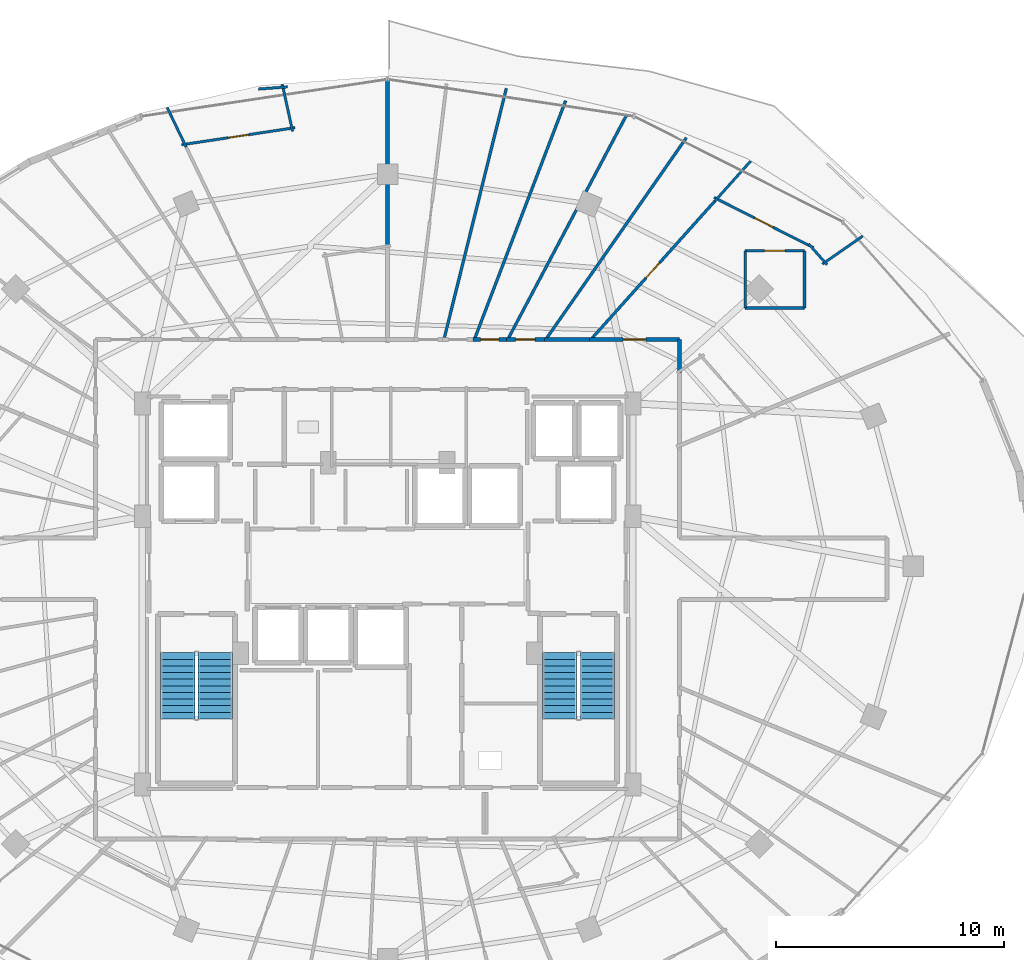
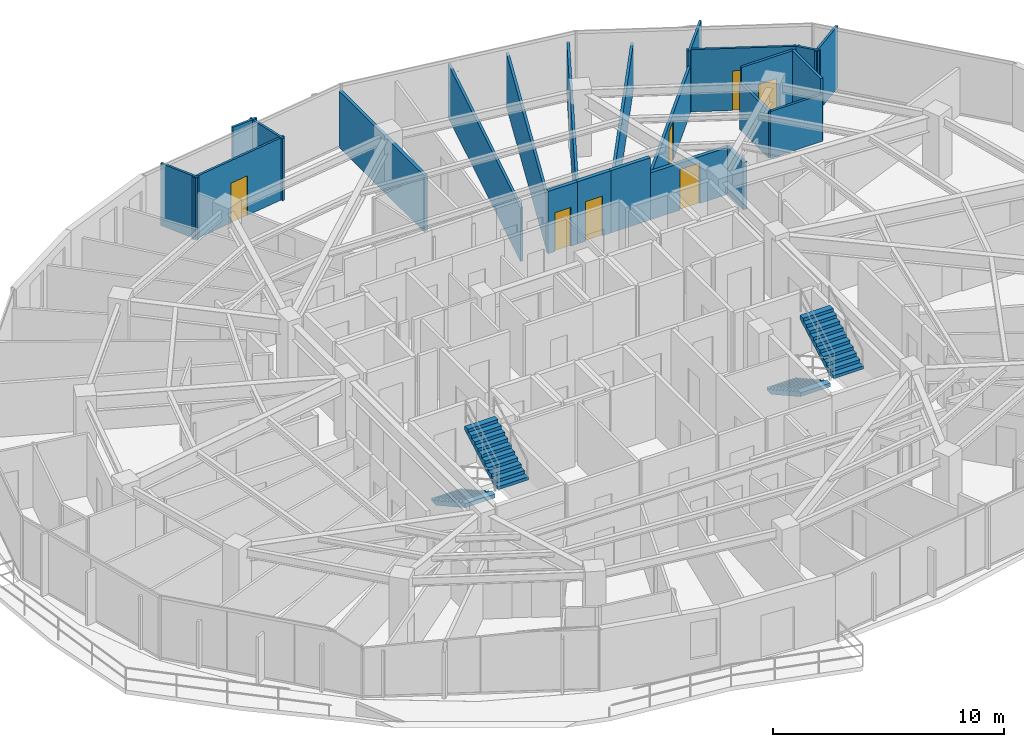
# One storey, part 30 of 33: 23 walls, 7 doors, 4 stair flights, 7 openings, 2 elements without a shape of their own.
"""IFC4 building model written with IfcOpenShell, lengths in metres."""

from ifc_helpers import new_model, si_unit, direction, frame, frame_2d, origin, place, context, subcontext, project, spatial, polyline, rectangle, outline, extrude, material, layer, layer_set, type_object, element, fill, aggregate, save


model = new_model("IFC4")

# Units and contexts
model_context = context("Model", 3, precision=1e-05, world=origin(), true_north=direction((0.0, 1.0)))
body_context = subcontext(model_context, "Body", "Model", "MODEL_VIEW")
ifc_project = project(units=[si_unit("LENGTHUNIT", "METRE"), si_unit("AREAUNIT", "SQUARE_METRE"), si_unit("VOLUMEUNIT", "CUBIC_METRE"), si_unit("PLANEANGLEUNIT", "RADIAN"), si_unit("MASSUNIT", "GRAM", prefix="KILO")], contexts=[model_context])

# Site, building, storey
site_placement = place(None, origin())
site = spatial("IfcSite", under=ifc_project, at=site_placement, CompositionType="ELEMENT")
building_placement = place(site_placement, origin())
building = spatial("IfcBuilding", under=site, at=building_placement, Name="Vorneva Point Tower", CompositionType="ELEMENT")
storey_placement = place(building_placement, frame((0.0, 0.0, 217.85009765625)))
storey = spatial("IfcBuildingStorey", under=building, at=storey_placement, Name="L59", CompositionType="ELEMENT", Elevation=217.85009765625)

# Wall
ifc_material_1 = material(Name="Fire-rated acoustic gypsum stud partition", Category="gypsum")
ifc_layer_1 = layer(ifc_material_1, 0.110107421875)
ifc_layer_set_1 = layer_set([ifc_layer_1], Name="Fire-rated acoustic gypsum stud partition")
wall_type_1 = type_object("IfcWallType", Name="WL-PART-110", PredefinedType="PARTITIONING", material=ifc_layer_set_1)
wall_1_placement = place(storey_placement, frame((57.265625, 39.22705078125, 0.0), z_axis=(0.0, 0.0, 1.0), x_axis=(-0.662352650652, 0.749192209099, 0.0)))
element("IfcWall", 1, at=wall_1_placement, inside=storey, type_object=wall_type_1, Name="L59 Interior Partition 087", PredefinedType="PARTITIONING", context=body_context, shape_type="SweptSolid", body=[
    extrude(rectangle(XDim=1.214599609375, YDim=0.110107421875, at=frame_2d((0.607421875, 0.0))), origin(), (0.0, 0.0, 1.0), 3.289794921875),
])

# Wall, opening, door
wall_2_placement = place(storey_placement, frame((56.678955078125, 39.968994140625, 0.0), z_axis=(0.0, 0.0, 1.0), x_axis=(-0.892574903925, 0.450899147131, 0.0)))
wall_2 = element("IfcWall", 2, at=wall_2_placement, inside=storey, type_object=wall_type_1, Name="L59 Interior Partition 088", PredefinedType="PARTITIONING", context=body_context, shape_type="SweptSolid", body=[
    extrude(rectangle(XDim=4.89697265625, YDim=0.110107421875, at=frame_2d((2.448486328125, 0.0))), origin(), (0.0, 0.0, 1.0), 3.289794921875),
])
opening_1_placement = place(wall_2_placement, frame((1.99853515625, 0.0, 0.0)))
opening_1 = element("IfcOpeningElement", 3, at=opening_1_placement, cuts=wall_2, Name="Opening ID-01", PredefinedType="OPENING", context=body_context, shape_type="SweptSolid", body=[
    extrude(rectangle(XDim=0.89990234375, YDim=2.10009765625, at=frame_2d((0.449951171875, 1.050048828125))), frame((0.0, 0.06982421875, 0.0), z_axis=(0.0, -1.0, 0.0), x_axis=(1.0, 0.0, 0.0)), (0.0, 0.0, 1.0), 0.139892578125),
])
ifc_material_2 = material(Name="Engineered oak fire-rated door leaf", Category="wood")
door_type_1 = type_object("IfcDoorType", Name="DR-ROOM-900", OperationType="NOTDEFINED", PredefinedType="DOOR", material=ifc_material_2)
door_1_placement = place(opening_1_placement, origin())
door_1 = element("IfcDoor", 4, at=door_1_placement, inside=storey, type_object=door_type_1, Name="L59 Door Living and Dining Room L59-01 / Kitchen L59-01", OperationType="SINGLE_SWING_RIGHT", OverallHeight=2.10009765625, OverallWidth=0.89990234375, PredefinedType="DOOR", context=body_context, shape_type="SweptSolid", body=[
    extrude(rectangle(XDim=0.89990234375, YDim=2.10009765625, at=frame_2d((0.449951171875, 1.050048828125))), frame((0.0, 0.02490234375, 0.0), z_axis=(0.0, -1.0, 0.0), x_axis=(1.0, 0.0, 0.0)), (0.0, 0.0, 1.0), 0.050048828125),
])
fill(opening_1, door_1)

# Walls
wall_3_placement = place(storey_placement, frame((52.339599609375, 42.009765625, 0.0), z_axis=(0.0, 0.0, 1.0), x_axis=(0.667118090827, 0.744951980259, 0.0)))
element("IfcWall", 5, at=wall_3_placement, inside=storey, type_object=wall_type_1, Name="L59 Interior Partition 089", PredefinedType="PARTITIONING", context=body_context, shape_type="SweptSolid", body=[
    extrude(rectangle(XDim=2.36181640625, YDim=0.110107421875, at=frame_2d((1.180908203125, 0.0))), origin(), (0.0, 0.0, 1.0), 3.289794921875),
])
wall_4_placement = place(storey_placement, frame((58.827880859375, 40.48291015625, 0.0), z_axis=(0.0, 0.0, 1.0), x_axis=(-0.820999835833, -0.570928427705, 0.0)))
element("IfcWall", 6, at=wall_4_placement, inside=storey, type_object=wall_type_1, Name="L59 Interior Partition 090", PredefinedType="PARTITIONING", context=body_context, shape_type="SweptSolid", body=[
    extrude(rectangle(XDim=2.155517578125, YDim=0.110107421875, at=frame_2d((1.07763671875, 0.0))), origin(), (0.0, 0.0, 1.0), 3.289794921875),
])
wall_5_placement = place(storey_placement, frame((33.385009765625, 47.143798828125, 0.0), z_axis=(0.0, 0.0, 1.0), x_axis=(0.213521424511, -0.976938381514, 0.0)))
element("IfcWall", 7, at=wall_5_placement, inside=storey, type_object=wall_type_1, Name="L59 Interior Partition 107", PredefinedType="PARTITIONING", context=body_context, shape_type="SweptSolid", body=[
    extrude(rectangle(XDim=2.116455078125, YDim=0.110107421875, at=frame_2d((1.05810546875, 0.0))), origin(), (0.0, 0.0, 1.0), 3.289794921875),
])

# Wall, opening, door
wall_6_placement = place(storey_placement, frame((33.9453125, 45.23388671875, 0.0), z_axis=(0.0, 0.0, 1.0), x_axis=(-0.988872134662, -0.148767944424, 0.0)))
wall_6 = element("IfcWall", 8, at=wall_6_placement, inside=storey, type_object=wall_type_1, Name="L59 Interior Partition 108", PredefinedType="PARTITIONING", context=body_context, shape_type="SweptSolid", body=[
    extrude(rectangle(XDim=5.026611328125, YDim=0.110107421875, at=frame_2d((2.51318359375, 0.0))), origin(), (0.0, 0.0, 1.0), 3.289794921875),
])
opening_2_placement = place(wall_6_placement, frame((2.0634765625, 0.0, 0.0)))
opening_2 = element("IfcOpeningElement", 9, at=opening_2_placement, cuts=wall_6, Name="Opening ID-01", PredefinedType="OPENING", context=body_context, shape_type="SweptSolid", body=[
    extrude(rectangle(XDim=0.89990234375, YDim=2.10009765625, at=frame_2d((0.449951171875, 1.050048828125))), frame((0.0, 0.06982421875, 0.0), z_axis=(0.0, -1.0, 0.0), x_axis=(1.0, 0.0, 0.0)), (0.0, 0.0, 1.0), 0.139892578125),
])
door_2_placement = place(opening_2_placement, origin())
door_2 = element("IfcDoor", 10, at=door_2_placement, inside=storey, type_object=door_type_1, Name="L59 Door Living and Dining Room L59-02 / Kitchen L59-02", OperationType="SINGLE_SWING_RIGHT", OverallHeight=2.10009765625, OverallWidth=0.89990234375, PredefinedType="DOOR", context=body_context, shape_type="SweptSolid", body=[
    extrude(rectangle(XDim=0.89990234375, YDim=2.10009765625, at=frame_2d((0.449951171875, 1.050048828125))), frame((0.0, 0.02490234375, 0.0), z_axis=(0.0, -1.0, 0.0), x_axis=(1.0, 0.0, 0.0)), (0.0, 0.0, 1.0), 0.050048828125),
])
fill(opening_2, door_2)

# Walls
wall_7_placement = place(storey_placement, frame((29.173583984375, 44.380859375, 0.0), z_axis=(0.0, 0.0, 1.0), x_axis=(-0.432866492457, 0.901458041014, 0.0)))
element("IfcWall", 11, at=wall_7_placement, inside=storey, type_object=wall_type_1, Name="L59 Interior Partition 109", PredefinedType="PARTITIONING", context=body_context, shape_type="SweptSolid", body=[
    extrude(rectangle(XDim=1.93408203125, YDim=0.110107421875, at=frame_2d((0.967041015625, 0.0))), origin(), (0.0, 0.0, 1.0), 3.289794921875),
])
wall_8_placement = place(storey_placement, frame((33.614501953125, 47.0224609375, 0.0), z_axis=(0.0, 0.0, 1.0), x_axis=(-0.997207179737, -0.074684942803, 0.0)))
element("IfcWall", 12, at=wall_8_placement, inside=storey, type_object=wall_type_1, Name="L59 Interior Partition 110", PredefinedType="PARTITIONING", context=body_context, shape_type="SweptSolid", body=[
    extrude(rectangle(XDim=1.271728515625, YDim=0.110107421875, at=frame_2d((0.6357421875, 0.0))), origin(), (0.0, 0.0, 1.0), 3.289794921875),
])

# Wall, opening, door
ifc_layer_2 = layer(ifc_material_1, 0.125)
ifc_layer_set_2 = layer_set([ifc_layer_2], Name="Fire-rated acoustic gypsum stud partition")
wall_type_2 = type_object("IfcWallType", Name="WL-PART-125", PredefinedType="PARTITIONING", material=ifc_layer_set_2)
wall_9_placement = place(storey_placement, frame((56.277099609375, 39.837890625, 0.0), z_axis=(0.0, 0.0, 1.0), x_axis=(-1.0, 0.0, 0.0)))
wall_9 = element("IfcWall", 13, at=wall_9_placement, inside=storey, type_object=wall_type_2, Name="L59 Interior Partition 091", PredefinedType="PARTITIONING", context=body_context, shape_type="SweptSolid", body=[
    extrude(rectangle(XDim=2.60009765625, YDim=0.125, at=frame_2d((1.300048828125, 0.0))), origin(), (0.0, 0.0, 1.0), 3.289794921875),
])
opening_3_placement = place(wall_9_placement, frame((0.85009765625, 0.0, 0.0)))
opening_3 = element("IfcOpeningElement", 14, at=opening_3_placement, cuts=wall_9, Name="Opening ID-01", PredefinedType="OPENING", context=body_context, shape_type="SweptSolid", body=[
    extrude(rectangle(XDim=0.89990234375, YDim=2.10009765625, at=frame_2d((0.449951171875, 1.050048828125))), frame((0.0, 0.077392578125, 0.0), z_axis=(0.0, -1.0, 0.0), x_axis=(1.0, 0.0, 0.0)), (0.0, 0.0, 1.0), 0.15478515625),
])
door_3_placement = place(opening_3_placement, origin())
door_3 = element("IfcDoor", 15, at=door_3_placement, inside=storey, type_object=door_type_1, Name="L59 Door Living and Dining Room L59-01 / Study Room L59-01", OperationType="SINGLE_SWING_LEFT", OverallHeight=2.10009765625, OverallWidth=0.89990234375, PredefinedType="DOOR", context=body_context, shape_type="SweptSolid", body=[
    extrude(rectangle(XDim=0.89990234375, YDim=2.10009765625, at=frame_2d((0.449951171875, 1.050048828125))), frame((0.0, 0.02490234375, 0.0), z_axis=(0.0, -1.0, 0.0), x_axis=(1.0, 0.0, 0.0)), (0.0, 0.0, 1.0), 0.050048828125),
])
fill(opening_3, door_3)

# Walls
wall_10_placement = place(storey_placement, frame((53.677001953125, 39.837890625, 0.0), z_axis=(0.0, 0.0, 1.0), x_axis=(0.0, -1.0, 0.0)))
element("IfcWall", 16, at=wall_10_placement, inside=storey, type_object=wall_type_2, Name="L59 Interior Partition 092", PredefinedType="PARTITIONING", context=body_context, shape_type="SweptSolid", body=[
    extrude(rectangle(XDim=2.5, YDim=0.125, at=frame_2d((1.25, 0.0))), origin(), (0.0, 0.0, 1.0), 2.48193359375),
])
wall_11_placement = place(storey_placement, frame((53.677001953125, 37.337890625, 0.0), z_axis=(0.0, 0.0, 1.0), x_axis=(1.0, 0.0, 0.0)))
element("IfcWall", 17, at=wall_11_placement, inside=storey, type_object=wall_type_2, Name="L59 Interior Partition 093", PredefinedType="PARTITIONING", context=body_context, shape_type="SweptSolid", body=[
    extrude(rectangle(XDim=2.60009765625, YDim=0.125, at=frame_2d((1.300048828125, 0.0))), origin(), (0.0, 0.0, 1.0), 2.48193359375),
])
wall_12_placement = place(storey_placement, frame((56.277099609375, 37.337890625, 0.0), z_axis=(0.0, 0.0, 1.0), x_axis=(0.0, 1.0, 0.0)))
element("IfcWall", 18, at=wall_12_placement, inside=storey, type_object=wall_type_2, Name="L59 Interior Partition 094", PredefinedType="PARTITIONING", context=body_context, shape_type="SweptSolid", body=[
    extrude(rectangle(XDim=2.5, YDim=0.125, at=frame_2d((1.25, 0.0))), origin(), (0.0, 0.0, 1.0), 3.289794921875),
])

# Wall, opening, door
wall_13_placement = place(storey_placement, frame((52.339599609375, 42.009765625, 0.0), z_axis=(0.0, 0.0, 1.0), x_axis=(-0.667173742476, -0.744902139445, 0.0)))
wall_13 = element("IfcWall", 19, at=wall_13_placement, inside=storey, type_object=wall_type_2, Name="L59 Interior Partition 095", PredefinedType="PARTITIONING", context=body_context, shape_type="SweptSolid", body=[
    extrude(rectangle(XDim=8.135009765625, YDim=0.125, at=frame_2d((4.0673828125, 0.0))), origin(), (0.0, 0.0, 1.0), 2.48193359375),
])
opening_4_placement = place(wall_13_placement, frame((3.617431640625, 0.0, 0.0)))
opening_4 = element("IfcOpeningElement", 20, at=opening_4_placement, cuts=wall_13, Name="Opening ID-01", PredefinedType="OPENING", context=body_context, shape_type="SweptSolid", body=[
    extrude(rectangle(XDim=0.89990234375, YDim=2.10009765625, at=frame_2d((0.449951171875, 1.050048828125))), frame((0.0, 0.077392578125, 0.0), z_axis=(0.0, -1.0, 0.0), x_axis=(1.0, 0.0, 0.0)), (0.0, 0.0, 1.0), 0.15478515625),
])
door_4_placement = place(opening_4_placement, origin())
door_4 = element("IfcDoor", 21, at=door_4_placement, inside=storey, type_object=door_type_1, Name="L59 Door Living and Dining Room L59-01 / Master Bedroom L59-01.1", OperationType="SINGLE_SWING_RIGHT", OverallHeight=2.10009765625, OverallWidth=0.89990234375, PredefinedType="DOOR", context=body_context, shape_type="SweptSolid", body=[
    extrude(rectangle(XDim=0.89990234375, YDim=2.10009765625, at=frame_2d((0.449951171875, 1.050048828125))), frame((0.0, 0.02490234375, 0.0), z_axis=(0.0, -1.0, 0.0), x_axis=(1.0, 0.0, 0.0)), (0.0, 0.0, 1.0), 0.050048828125),
])
fill(opening_4, door_4)

# Walls
wall_14_placement = place(storey_placement, frame((51.09912109375, 44.794921875, 0.0), z_axis=(0.0, 0.0, 1.0), x_axis=(-0.571754326018, -0.82042488424, 0.0)))
element("IfcWall", 22, at=wall_14_placement, inside=storey, type_object=wall_type_2, Name="L59 Interior Partition 098", PredefinedType="PARTITIONING", context=body_context, shape_type="SweptSolid", body=[
    extrude(rectangle(XDim=10.781005859375, YDim=0.125, at=frame_2d((5.390625, 0.0))), origin(), (0.0, 0.0, 1.0), 2.48193359375),
])
wall_15_placement = place(storey_placement, frame((48.48193359375, 45.797119140625, 0.0), z_axis=(0.0, 0.0, 1.0), x_axis=(-0.46793402924, -0.883763398359, 0.0)))
element("IfcWall", 23, at=wall_15_placement, inside=storey, type_object=wall_type_2, Name="L59 Interior Partition 099", PredefinedType="PARTITIONING", context=body_context, shape_type="SweptSolid", body=[
    extrude(rectangle(XDim=11.142333984375, YDim=0.125, at=frame_2d((5.5712890625, 0.0))), origin(), (0.0, 0.0, 1.0), 2.823974609375),
])
wall_16_placement = place(storey_placement, frame((45.804931640625, 46.412109375, 0.0), z_axis=(0.0, 0.0, 1.0), x_axis=(-0.357119008819, -0.934058891901, 0.0)))
element("IfcWall", 24, at=wall_16_placement, inside=storey, type_object=wall_type_2, Name="L59 Interior Partition 100", PredefinedType="PARTITIONING", context=body_context, shape_type="SweptSolid", body=[
    extrude(rectangle(XDim=11.20068359375, YDim=0.125, at=frame_2d((5.600341796875, 0.0))), origin(), (0.0, 0.0, 1.0), 2.823974609375),
])
wall_17_placement = place(storey_placement, frame((43.20703125, 46.9609375, 0.0), z_axis=(0.0, 0.0, 1.0), x_axis=(-0.241072089133, -0.970507211638, 0.0)))
element("IfcWall", 25, at=wall_17_placement, inside=storey, type_object=wall_type_2, Name="L59 Interior Partition 101", PredefinedType="PARTITIONING", context=body_context, shape_type="SweptSolid", body=[
    extrude(rectangle(XDim=11.345703125, YDim=0.125, at=frame_2d((5.6728515625, 0.0))), origin(), (0.0, 0.0, 1.0), 2.823974609375),
])
ifc_layer_3 = layer(ifc_material_1, 0.159912109375)
ifc_layer_set_3 = layer_set([ifc_layer_3], Name="Fire-rated acoustic gypsum stud partition")
wall_type_3 = type_object("IfcWallType", Name="WL-PART-160", PredefinedType="PARTITIONING", material=ifc_layer_set_3)
wall_18_placement = place(storey_placement, frame((38.0, 47.35009765625, 0.0), z_axis=(0.0, 0.0, 1.0), x_axis=(0.0, -1.0, 0.0)))
element("IfcWall", 26, at=wall_18_placement, inside=storey, type_object=wall_type_3, Name="L59 Interior Partition 103", PredefinedType="PARTITIONING", context=body_context, shape_type="SweptSolid", body=[
    extrude(rectangle(XDim=7.375, YDim=0.159912109375, at=frame_2d((3.6875, 0.0))), origin(), (0.0, 0.0, 1.0), 2.97900390625),
])
ifc_material_3 = material(Name="Autoclaved aerated concrete blockwork", Category="masonry")
ifc_layer_4 = layer(ifc_material_3, 0.179931640625)
ifc_layer_set_4 = layer_set([ifc_layer_4], Name="Autoclaved aerated concrete blockwork")
wall_type_4 = type_object("IfcWallType", Name="WL-PART-180", PredefinedType="PARTITIONING", material=ifc_layer_set_4)
wall_19_placement = place(storey_placement, frame((50.800048828125, 34.50390625, 0.0), z_axis=(0.0, 0.0, 1.0), x_axis=(0.0, 1.0, 0.0)))
element("IfcWall", 27, at=wall_19_placement, inside=storey, type_object=wall_type_4, Name="L59 Interior Partition 034", PredefinedType="PARTITIONING", context=body_context, shape_type="SweptSolid", body=[
    extrude(rectangle(XDim=1.446044921875, YDim=0.179931640625, at=frame_2d((0.72314453125, 0.0))), origin(), (0.0, 0.0, 1.0), 2.48193359375),
])

# Wall, opening, door
wall_20_placement = place(storey_placement, frame((50.800048828125, 35.949951171875, 0.0), z_axis=(0.0, 0.0, 1.0), x_axis=(-1.0, 0.0, 0.0)))
wall_20 = element("IfcWall", 28, at=wall_20_placement, inside=storey, type_object=wall_type_4, Name="L59 Interior Partition 035", PredefinedType="PARTITIONING", context=body_context, shape_type="SweptSolid", body=[
    extrude(rectangle(XDim=3.947998046875, YDim=0.179931640625, at=frame_2d((1.97412109375, 0.0))), origin(), (0.0, 0.0, 1.0), 2.48193359375),
])
opening_5_placement = place(wall_20_placement, frame((1.47412109375, 0.0, 0.0)))
opening_5 = element("IfcOpeningElement", 29, at=opening_5_placement, cuts=wall_20, Name="Opening UD-01", PredefinedType="OPENING", context=body_context, shape_type="SweptSolid", body=[
    extrude(rectangle(XDim=1.0, YDim=2.14990234375, at=frame_2d((0.5, 1.074951171875))), frame((0.0, 0.10498046875, 0.0), z_axis=(0.0, -1.0, 0.0), x_axis=(1.0, 0.0, 0.0)), (0.0, 0.0, 1.0), 0.209716796875),
])
door_type_2 = type_object("IfcDoorType", Name="DR-UNIT-1000", OperationType="NOTDEFINED", PredefinedType="DOOR", material=ifc_material_2)
door_5_placement = place(opening_5_placement, origin())
door_5 = element("IfcDoor", 30, at=door_5_placement, inside=storey, type_object=door_type_2, Name="L59 Door L59 Circulation Corridor / Living and Dining Room L59-01", OperationType="SINGLE_SWING_LEFT", OverallHeight=2.14990234375, OverallWidth=1.0, PredefinedType="DOOR", context=body_context, shape_type="SweptSolid", body=[
    extrude(rectangle(XDim=1.0, YDim=2.14990234375, at=frame_2d((0.5, 1.074951171875))), frame((0.0, 0.02490234375, 0.0), z_axis=(0.0, -1.0, 0.0), x_axis=(1.0, 0.0, 0.0)), (0.0, 0.0, 1.0), 0.050048828125),
])
fill(opening_5, door_5)

# Wall
wall_21_placement = place(storey_placement, frame((46.85205078125, 35.949951171875, 0.0), z_axis=(0.0, 0.0, 1.0), x_axis=(-1.0, 0.0, 0.0)))
element("IfcWall", 31, at=wall_21_placement, inside=storey, type_object=wall_type_4, Name="L59 Interior Partition 037", PredefinedType="PARTITIONING", context=body_context, shape_type="SweptSolid", body=[
    extrude(rectangle(XDim=1.97705078125, YDim=0.179931640625, at=frame_2d((0.988525390625, 0.0))), origin(), (0.0, 0.0, 1.0), 3.289794921875),
])

# Wall, opening, door
wall_22_placement = place(storey_placement, frame((44.875, 35.949951171875, 0.0), z_axis=(0.0, 0.0, 1.0), x_axis=(-1.0, 0.0, 0.0)))
wall_22 = element("IfcWall", 32, at=wall_22_placement, inside=storey, type_object=wall_type_4, Name="L59 Interior Partition 038", PredefinedType="PARTITIONING", context=body_context, shape_type="SweptSolid", body=[
    extrude(rectangle(XDim=1.6669921875, YDim=0.179931640625, at=frame_2d((0.83349609375, 0.0))), origin(), (0.0, 0.0, 1.0), 3.289794921875),
])
opening_6_placement = place(wall_22_placement, frame((0.408447265625, 0.0, 0.0)))
opening_6 = element("IfcOpeningElement", 33, at=opening_6_placement, cuts=wall_22, Name="Opening ID-02", PredefinedType="OPENING", context=body_context, shape_type="SweptSolid", body=[
    extrude(rectangle(XDim=0.85009765625, YDim=2.10009765625, at=frame_2d((0.425048828125, 1.050048828125))), frame((0.0, 0.10498046875, 0.0), z_axis=(0.0, -1.0, 0.0), x_axis=(1.0, 0.0, 0.0)), (0.0, 0.0, 1.0), 0.209716796875),
])
door_type_3 = type_object("IfcDoorType", Name="DR-BATH-850", OperationType="NOTDEFINED", PredefinedType="DOOR", material=ifc_material_2)
door_6_placement = place(opening_6_placement, origin())
door_6 = element("IfcDoor", 34, at=door_6_placement, inside=storey, type_object=door_type_3, Name="L59 Access Door L59 Circulation Corridor", OperationType="SINGLE_SWING_RIGHT", OverallHeight=2.10009765625, OverallWidth=0.85009765625, PredefinedType="DOOR", context=body_context, shape_type="SweptSolid", body=[
    extrude(rectangle(XDim=0.85009765625, YDim=2.10009765625, at=frame_2d((0.425048828125, 1.050048828125))), frame((0.0, 0.02490234375, 0.0), z_axis=(0.0, -1.0, 0.0), x_axis=(1.0, 0.0, 0.0)), (0.0, 0.0, 1.0), 0.050048828125),
])
fill(opening_6, door_6)

wall_23_placement = place(storey_placement, frame((43.2080078125, 35.949951171875, 0.0), z_axis=(0.0, 0.0, 1.0), x_axis=(-1.0, 0.0, 0.0)))
wall_23 = element("IfcWall", 35, at=wall_23_placement, inside=storey, type_object=wall_type_4, Name="L59 Interior Partition 039", PredefinedType="PARTITIONING", context=body_context, shape_type="SweptSolid", body=[
    extrude(rectangle(XDim=1.462890625, YDim=0.179931640625, at=frame_2d((0.7314453125, 0.0))), origin(), (0.0, 0.0, 1.0), 3.289794921875),
])
opening_7_placement = place(wall_23_placement, frame((0.33154296875, 0.0, 0.0)))
opening_7 = element("IfcOpeningElement", 36, at=opening_7_placement, cuts=wall_23, Name="Opening RD-01", PredefinedType="OPENING", context=body_context, shape_type="SweptSolid", body=[
    extrude(rectangle(XDim=0.800048828125, YDim=2.050048828125, at=frame_2d((0.39990234375, 1.02490234375))), frame((0.0, 0.10498046875, 0.0), z_axis=(0.0, -1.0, 0.0), x_axis=(1.0, 0.0, 0.0)), (0.0, 0.0, 1.0), 0.209716796875),
])
ifc_material_4 = material(Name="Fire-rated powder-coated steel", Category="steel")
door_type_4 = type_object("IfcDoorType", Name="DR-RSR-800", OperationType="SINGLE_SWING_LEFT", PredefinedType="DOOR", material=ifc_material_4)
door_7_placement = place(opening_7_placement, origin())
door_7 = element("IfcDoor", 37, at=door_7_placement, inside=storey, type_object=door_type_4, Name="L59 Access Door L59 Circulation Corridor", OperationType="SINGLE_SWING_RIGHT", OverallHeight=2.050048828125, OverallWidth=0.800048828125, PredefinedType="DOOR", context=body_context, shape_type="SweptSolid", body=[
    extrude(rectangle(XDim=0.800048828125, YDim=2.050048828125, at=frame_2d((0.39990234375, 1.02490234375))), frame((0.0, 0.02490234375, 0.0), z_axis=(0.0, -1.0, 0.0), x_axis=(1.0, 0.0, 0.0)), (0.0, 0.0, 1.0), 0.050048828125),
])
fill(opening_7, door_7)

# Stair, stair flights
ifc_material_5 = material(Name="Concrete B50 (C40/50)", Category="concrete")
stair_type = type_object("IfcStairType", Name="ST-DOG-1500", PredefinedType="HALF_TURN_STAIR", material=ifc_material_5)
stair_1_placement = place(storey_placement, origin())
stair_1 = element("IfcStair", 38, at=stair_1_placement, inside=storey, type_object=stair_type, Name="L59 ST1", PredefinedType="HALF_TURN_STAIR")
stair_flight_type = type_object("IfcStairFlightType", Name="STF-1500", PredefinedType="STRAIGHT", material=ifc_material_5)
stair_flight_1_placement = place(storey_placement, frame((28.800048828125, 22.219970703125, 0.0), z_axis=(0.0, 0.0, 1.0), x_axis=(0.0, -1.0, 0.0)))
stair_flight_1 = element("IfcStairFlight", 39, at=stair_flight_1_placement, type_object=stair_flight_type, Name="ST1 flight 1", NumberOfRisers=11, NumberOfTreads=10, PredefinedType="STRAIGHT", RiserHeight=0.161363636, TreadLength=0.29, context=body_context, shape_type="SweptSolid", body=[
    extrude(outline(polyline([(0.0, 0.0), (0.0, 0.161376953125), (0.2900390625, 0.161376953125), (0.2900390625, 0.32275390625), (0.580078125, 0.32275390625), (0.580078125, 0.484130859375), (0.8701171875, 0.484130859375), (0.8701171875, 0.6455078125), (1.159912109375, 0.6455078125), (1.159912109375, 0.806884765625), (1.449951171875, 0.806884765625), (1.449951171875, 0.96826171875), (1.739990234375, 0.96826171875), (1.739990234375, 1.129638671875), (2.030029296875, 1.129638671875), (2.030029296875, 1.291015625), (2.320068359375, 1.291015625), (2.320068359375, 1.452392578125), (2.610107421875, 1.452392578125), (2.610107421875, 1.613525390625), (2.89990234375, 1.613525390625), (2.89990234375, 1.77490234375), (2.89990234375, 1.40771484375), (0.3701171875, 0.0), (0.0, 0.0)])), frame((0.0, 0.75, 0.0), z_axis=(0.0, -1.0, 0.0), x_axis=(1.0, 0.0, 0.0)), (0.0, 0.0, 1.0), 1.5),
])
stair_flight_2_placement = place(storey_placement, frame((30.449951171875, 19.320068359375, 1.77490234375), z_axis=(0.0, 0.0, 1.0), x_axis=(0.0, 1.0, 0.0)))
stair_flight_2 = element("IfcStairFlight", 40, at=stair_flight_2_placement, type_object=stair_flight_type, Name="ST1 flight 2", NumberOfRisers=11, NumberOfTreads=10, PredefinedType="STRAIGHT", RiserHeight=0.161363636, TreadLength=0.29, context=body_context, shape_type="SweptSolid", body=[
    extrude(outline(polyline([(0.0, 0.0), (0.0, 0.161376953125), (0.2900390625, 0.161376953125), (0.2900390625, 0.32275390625), (0.580078125, 0.32275390625), (0.580078125, 0.484130859375), (0.8701171875, 0.484130859375), (0.8701171875, 0.6455078125), (1.159912109375, 0.6455078125), (1.159912109375, 0.806884765625), (1.449951171875, 0.806884765625), (1.449951171875, 0.96826171875), (1.739990234375, 0.96826171875), (1.739990234375, 1.129638671875), (2.030029296875, 1.129638671875), (2.030029296875, 1.291015625), (2.320068359375, 1.291015625), (2.320068359375, 1.452392578125), (2.610107421875, 1.452392578125), (2.610107421875, 1.613525390625), (2.89990234375, 1.613525390625), (2.89990234375, 1.77490234375), (2.89990234375, 1.40771484375), (0.3701171875, 0.0), (0.0, 0.0)])), frame((0.0, 0.75, 0.0), z_axis=(0.0, -1.0, 0.0), x_axis=(1.0, 0.0, 0.0)), (0.0, 0.0, 1.0), 1.5),
])
aggregate(stair_1, [stair_flight_1, stair_flight_2])

stair_2_placement = place(storey_placement, origin())
stair_2 = element("IfcStair", 41, at=stair_2_placement, inside=storey, type_object=stair_type, Name="L59 ST2", PredefinedType="HALF_TURN_STAIR")
stair_flight_3_placement = place(storey_placement, frame((45.550048828125, 22.219970703125, 0.0), z_axis=(0.0, 0.0, 1.0), x_axis=(0.0, -1.0, 0.0)))
stair_flight_3 = element("IfcStairFlight", 42, at=stair_flight_3_placement, type_object=stair_flight_type, Name="ST2 flight 1", NumberOfRisers=11, NumberOfTreads=10, PredefinedType="STRAIGHT", RiserHeight=0.161363636, TreadLength=0.29, context=body_context, shape_type="SweptSolid", body=[
    extrude(outline(polyline([(0.0, 0.0), (0.0, 0.161376953125), (0.2900390625, 0.161376953125), (0.2900390625, 0.32275390625), (0.580078125, 0.32275390625), (0.580078125, 0.484130859375), (0.8701171875, 0.484130859375), (0.8701171875, 0.6455078125), (1.159912109375, 0.6455078125), (1.159912109375, 0.806884765625), (1.449951171875, 0.806884765625), (1.449951171875, 0.96826171875), (1.739990234375, 0.96826171875), (1.739990234375, 1.129638671875), (2.030029296875, 1.129638671875), (2.030029296875, 1.291015625), (2.320068359375, 1.291015625), (2.320068359375, 1.452392578125), (2.610107421875, 1.452392578125), (2.610107421875, 1.613525390625), (2.89990234375, 1.613525390625), (2.89990234375, 1.77490234375), (2.89990234375, 1.40771484375), (0.3701171875, 0.0), (0.0, 0.0)])), frame((0.0, 0.75, 0.0), z_axis=(0.0, -1.0, 0.0), x_axis=(1.0, 0.0, 0.0)), (0.0, 0.0, 1.0), 1.5),
])
stair_flight_4_placement = place(storey_placement, frame((47.199951171875, 19.320068359375, 1.77490234375), z_axis=(0.0, 0.0, 1.0), x_axis=(0.0, 1.0, 0.0)))
stair_flight_4 = element("IfcStairFlight", 43, at=stair_flight_4_placement, type_object=stair_flight_type, Name="ST2 flight 2", NumberOfRisers=11, NumberOfTreads=10, PredefinedType="STRAIGHT", RiserHeight=0.161363636, TreadLength=0.29, context=body_context, shape_type="SweptSolid", body=[
    extrude(outline(polyline([(0.0, 0.0), (0.0, 0.161376953125), (0.2900390625, 0.161376953125), (0.2900390625, 0.32275390625), (0.580078125, 0.32275390625), (0.580078125, 0.484130859375), (0.8701171875, 0.484130859375), (0.8701171875, 0.6455078125), (1.159912109375, 0.6455078125), (1.159912109375, 0.806884765625), (1.449951171875, 0.806884765625), (1.449951171875, 0.96826171875), (1.739990234375, 0.96826171875), (1.739990234375, 1.129638671875), (2.030029296875, 1.129638671875), (2.030029296875, 1.291015625), (2.320068359375, 1.291015625), (2.320068359375, 1.452392578125), (2.610107421875, 1.452392578125), (2.610107421875, 1.613525390625), (2.89990234375, 1.613525390625), (2.89990234375, 1.77490234375), (2.89990234375, 1.40771484375), (0.3701171875, 0.0), (0.0, 0.0)])), frame((0.0, 0.75, 0.0), z_axis=(0.0, -1.0, 0.0), x_axis=(1.0, 0.0, 0.0)), (0.0, 0.0, 1.0), 1.5),
])
aggregate(stair_2, [stair_flight_3, stair_flight_4])

save(model, "model.ifc")
